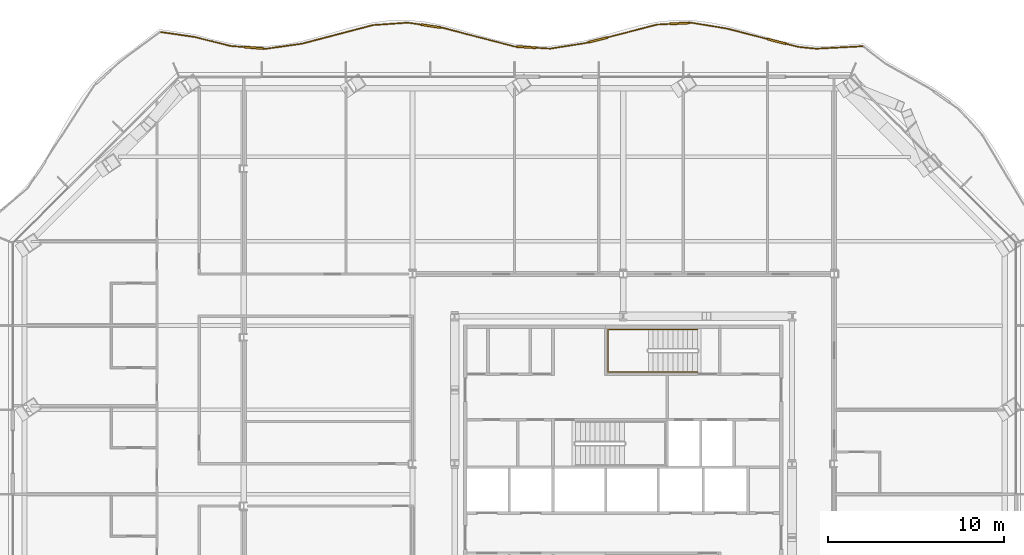
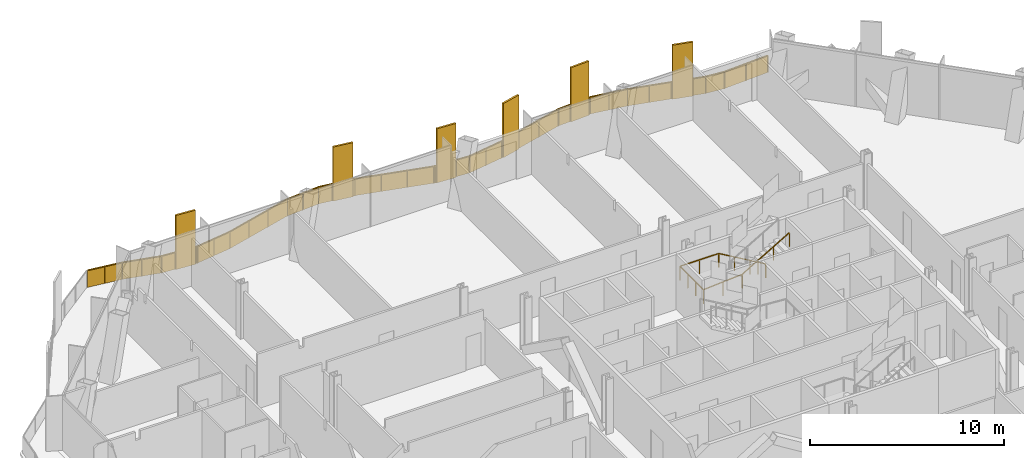
# One storey, part 16 of 17: 2 railings.
"""IFC4 building model written with IfcOpenShell, lengths in metres."""

from ifc_helpers import new_model, si_unit, direction, frame, origin, origin_2d, place, context, subcontext, project, spatial, polyline, rectangle, outline, extrude, material, type_object, element, save


model = new_model("IFC4")

# Units and contexts
model_context = context("Model", 3, precision=1e-05, world=origin(), true_north=direction((0.0, 1.0)))
body_context = subcontext(model_context, "Body", "Model", "MODEL_VIEW")
ifc_project = project(units=[si_unit("LENGTHUNIT", "METRE"), si_unit("AREAUNIT", "SQUARE_METRE"), si_unit("VOLUMEUNIT", "CUBIC_METRE"), si_unit("PLANEANGLEUNIT", "RADIAN"), si_unit("MASSUNIT", "GRAM", prefix="KILO")], contexts=[model_context])

# Site, building, storey
site_placement = place(None, origin())
site = spatial("IfcSite", under=ifc_project, at=site_placement, CompositionType="ELEMENT")
building_placement = place(site_placement, origin())
building = spatial("IfcBuilding", under=site, at=building_placement, Name="Cairn Pilgrim Tower", CompositionType="ELEMENT")
storey_placement = place(building_placement, frame((0.0, 0.0, 94.199951171875)))
storey = spatial("IfcBuildingStorey", under=building, at=storey_placement, Name="L22", CompositionType="ELEMENT", Elevation=94.199951171875)

# Railings
ifc_material_1 = material(Name="Bronze anodised aluminium rail, posts and fin screens with laminated glass infill", Category="aluminium")
railing_type_1 = type_object("IfcRailingType", Name="BALCONY GUARD WITH FIN SCREENS", PredefinedType="GUARDRAIL", material=ifc_material_1)
railing_1_placement = place(storey_placement, frame((20.8447265625, 26.1708984375, 0.0)))
element("IfcRailing", 1, at=railing_1_placement, inside=storey, type_object=railing_type_1, Name="Balcony guard BGF-4 with fin screens", PredefinedType="GUARDRAIL", context=body_context, shape_type="SweptSolid", body=[
    extrude(rectangle(XDim=0.050048828125, YDim=0.050048828125, at=origin_2d()), frame((0.0, 0.0, 1.0751953125), z_axis=(-0.998601583323, -0.052866603686, 0.0), x_axis=(0.052866603686, -0.998601583323, 0.0)), (0.0, 0.0, 1.0), 2.66455078125),
    extrude(rectangle(XDim=0.050048828125, YDim=0.050048828125, at=origin_2d()), frame((-2.660888671875, -0.140869140625, 1.0751953125), z_axis=(-0.995134492901, 0.098525839444, 0.0), x_axis=(-0.098525839444, -0.995134492901, 0.0)), (0.0, 0.0, 1.0), 1.038330078125),
    extrude(rectangle(XDim=1.10009765625, YDim=0.110107421875, at=origin_2d()), frame((-4.915283203125, 0.275634765625, 0.0), z_axis=(0.0, 0.0, 1.0), x_axis=(-0.968442182623, 0.249238317512, 0.0)), (0.0, 0.0, 1.0), 3.39990234375),
    extrude(rectangle(XDim=0.050048828125, YDim=0.050048828125, at=origin_2d()), frame((-3.694091796875, -0.03857421875, 1.0751953125), z_axis=(-0.968442182623, 0.249238317512, 0.0), x_axis=(-0.249238317512, -0.968442182623, 0.0)), (0.0, 0.0, 1.0), 0.7109375),
    extrude(rectangle(XDim=0.050048828125, YDim=0.050048828125, at=origin_2d()), frame((-5.447998046875, 0.412841796875, 1.0751953125), z_axis=(-0.968442182623, 0.249238317512, 0.0), x_axis=(-0.249238317512, -0.968442182623, 0.0)), (0.0, 0.0, 1.0), 2.36767578125),
    extrude(rectangle(XDim=0.050048828125, YDim=0.050048828125, at=origin_2d()), frame((-7.740966796875, 1.0029296875, 1.0751953125), z_axis=(-0.986614533197, 0.163069809848, 0.0), x_axis=(-0.163069809848, -0.986614533197, 0.0)), (0.0, 0.0, 1.0), 2.025634765625),
    extrude(rectangle(XDim=1.10009765625, YDim=0.110107421875, at=origin_2d()), frame((-10.438720703125, 1.29736328125, 0.0), z_axis=(0.0, 0.0, 1.0), x_axis=(-0.998681066307, -0.051343235188, 0.0)), (0.0, 0.0, 1.0), 3.39990234375),
    extrude(rectangle(XDim=0.050048828125, YDim=0.050048828125, at=origin_2d()), frame((-9.739501953125, 1.333251953125, 1.0751953125), z_axis=(-0.998681066307, -0.051343235188, 0.0), x_axis=(0.051343235188, -0.998681066307, 0.0)), (0.0, 0.0, 1.0), 0.150146484375),
    extrude(rectangle(XDim=0.050048828125, YDim=0.050048828125, at=origin_2d()), frame((-10.98779296875, 1.26904296875, 1.0751953125), z_axis=(-0.998681066307, -0.051343235188, 0.0), x_axis=(0.051343235188, -0.998681066307, 0.0)), (0.0, 0.0, 1.0), 0.742431640625),
    extrude(rectangle(XDim=1.10009765625, YDim=0.110107421875, at=origin_2d()), frame((-15.086181640625, 0.360595703125, 0.0), z_axis=(0.0, 0.0, 1.0), x_axis=(-0.968000587418, -0.250947928381, 0.0)), (0.0, 0.0, 1.0), 3.39990234375),
    extrude(rectangle(XDim=0.050048828125, YDim=0.050048828125, at=origin_2d()), frame((-11.729248046875, 1.23095703125, 1.0751953125), z_axis=(-0.968000587418, -0.250947928381, 0.0), x_axis=(0.250947928381, -0.968000587418, 0.0)), (0.0, 0.0, 1.0), 2.91796875),
    extrude(rectangle(XDim=0.050048828125, YDim=0.050048828125, at=origin_2d()), frame((-15.61865234375, 0.22265625, 1.0751953125), z_axis=(-0.968000587418, -0.250947928381, 0.0), x_axis=(0.250947928381, -0.968000587418, 0.0)), (0.0, 0.0, 1.0), 0.14990234375),
    extrude(rectangle(XDim=0.050048828125, YDim=0.050048828125, at=origin_2d()), frame((-15.763671875, 0.18505859375, 1.0751953125), z_axis=(-0.987839364322, -0.155477941507, 0.0), x_axis=(0.155477941507, -0.987839364322, 0.0)), (0.0, 0.0, 1.0), 2.069580078125),
    extrude(rectangle(XDim=1.10009765625, YDim=0.110107421875, at=origin_2d()), frame((-19.161376953125, -0.0546875, 0.0), z_axis=(0.0, 0.0, 1.0), x_axis=(-0.998164147912, 0.060566771616, 0.0)), (0.0, 0.0, 1.0), 3.39990234375),
    extrude(rectangle(XDim=0.050048828125, YDim=0.050048828125, at=origin_2d()), frame((-17.80810546875, -0.13671875, 1.0751953125), z_axis=(-0.998164147912, 0.060566771616, 0.0), x_axis=(-0.060566771616, -0.998164147912, 0.0)), (0.0, 0.0, 1.0), 0.8056640625),
    extrude(rectangle(XDim=0.050048828125, YDim=0.050048828125, at=origin_2d()), frame((-19.71044921875, -0.021240234375, 1.0751953125), z_axis=(-0.998164147912, 0.060566771616, 0.0), x_axis=(-0.060566771616, -0.998164147912, 0.0)), (0.0, 0.0, 1.0), 0.14990234375),
    extrude(rectangle(XDim=0.050048828125, YDim=0.050048828125, at=origin_2d()), frame((-19.860107421875, -0.01220703125, 1.0751953125), z_axis=(-0.967613554209, 0.252436149771, 0.0), x_axis=(-0.252436149771, -0.967613554209, 0.0)), (0.0, 0.0, 1.0), 4.183837890625),
    extrude(rectangle(XDim=1.10009765625, YDim=0.110107421875, at=origin_2d()), frame((-24.600830078125, 1.147216796875, 0.0), z_axis=(0.0, 0.0, 1.0), x_axis=(-0.989042522673, 0.147630919338, 0.0)), (0.0, 0.0, 1.0), 3.39990234375),
    extrude(rectangle(XDim=0.050048828125, YDim=0.050048828125, at=origin_2d()), frame((-23.908447265625, 1.0439453125, 1.0751953125), z_axis=(-0.989042522673, 0.147630919338, 0.0), x_axis=(-0.147630919338, -0.989042522673, 0.0)), (0.0, 0.0, 1.0), 0.150146484375),
    extrude(rectangle(XDim=0.050048828125, YDim=0.050048828125, at=origin_2d()), frame((-25.14501953125, 1.228515625, 1.0751953125), z_axis=(-0.989042522673, 0.147630919338, 0.0), x_axis=(-0.147630919338, -0.989042522673, 0.0)), (0.0, 0.0, 1.0), 0.76904296875),
    extrude(rectangle(XDim=0.050048828125, YDim=0.050048828125, at=origin_2d()), frame((-25.905517578125, 1.342041015625, 1.0751953125), z_axis=(-0.997565014816, -0.069742678578, 0.0), x_axis=(0.069742678578, -0.997565014816, 0.0)), (0.0, 0.0, 1.0), 1.995361328125),
    extrude(rectangle(XDim=0.050048828125, YDim=0.050048828125, at=origin_2d()), frame((-27.89599609375, 1.202880859375, 1.0751953125), z_axis=(-0.967312799449, -0.253586174747, 0.0), x_axis=(0.253586174747, -0.967312799449, 0.0)), (0.0, 0.0, 1.0), 4.173583984375),
    extrude(rectangle(XDim=0.050048828125, YDim=0.050048828125, at=origin_2d()), frame((-31.93310546875, 0.14453125, 1.0751953125), z_axis=(-0.990182096121, -0.139783462973, 0.0), x_axis=(0.139783462973, -0.990182096121, 0.0)), (0.0, 0.0, 1.0), 2.066162109375),
    extrude(rectangle(XDim=1.10009765625, YDim=0.110107421875, at=origin_2d()), frame((-34.677001953125, -0.089111328125, 0.0), z_axis=(0.0, 0.0, 1.0), x_axis=(-0.996888090626, 0.078829783515, 0.0)), (0.0, 0.0, 1.0), 3.39990234375),
    extrude(rectangle(XDim=0.050048828125, YDim=0.050048828125, at=origin_2d()), frame((-33.97900390625, -0.144287109375, 1.0751953125), z_axis=(-0.996888090626, 0.078829783515, 0.0), x_axis=(-0.078829783515, -0.996888090626, 0.0)), (0.0, 0.0, 1.0), 0.150146484375),
    extrude(rectangle(XDim=0.050048828125, YDim=0.050048828125, at=origin_2d()), frame((-35.22509765625, -0.045654296875, 1.0751953125), z_axis=(-0.996888090626, 0.078829783515, 0.0), x_axis=(-0.078829783515, -0.996888090626, 0.0)), (0.0, 0.0, 1.0), 0.806396484375),
    extrude(rectangle(XDim=0.050048828125, YDim=0.050048828125, at=origin_2d()), frame((-36.029052734375, 0.017822265625, 1.0751953125), z_axis=(-0.969687119099, 0.244349935652, 0.0), x_axis=(-0.244349935652, -0.969687119099, 0.0)), (0.0, 0.0, 1.0), 2.089111328125),
    extrude(rectangle(XDim=0.050048828125, YDim=0.050048828125, at=origin_2d()), frame((-38.054931640625, 0.5283203125, 1.0751953125), z_axis=(-0.989691629643, 0.143214797471, 0.0), x_axis=(-0.143214797471, -0.989691629643, 0.0)), (0.0, 0.0, 1.0), 1.924560546875),
    extrude(rectangle(XDim=0.050048828125, YDim=0.050048828125, at=origin_2d()), origin(), (0.0, 0.0, 1.0), 1.050048828125),
    extrude(rectangle(XDim=0.050048828125, YDim=0.050048828125, at=origin_2d()), frame((-1.33056640625, -0.0703125, 0.0)), (0.0, 0.0, 1.0), 1.050048828125),
    extrude(rectangle(XDim=0.050048828125, YDim=0.050048828125, at=origin_2d()), frame((-2.660888671875, -0.140869140625, 0.0)), (0.0, 0.0, 1.0), 1.050048828125),
    extrude(rectangle(XDim=0.050048828125, YDim=0.050048828125, at=origin_2d()), frame((-3.694091796875, -0.03857421875, 0.0)), (0.0, 0.0, 1.0), 1.050048828125),
    extrude(rectangle(XDim=0.050048828125, YDim=0.050048828125, at=origin_2d()), frame((-4.3583984375, 0.13232421875, 0.0)), (0.0, 0.0, 1.0), 1.050048828125),
    extrude(rectangle(XDim=0.050048828125, YDim=0.050048828125, at=origin_2d()), frame((-5.47216796875, 0.4189453125, 0.0)), (0.0, 0.0, 1.0), 1.050048828125),
    extrude(rectangle(XDim=0.050048828125, YDim=0.050048828125, at=origin_2d()), frame((-6.606689453125, 0.7109375, 0.0)), (0.0, 0.0, 1.0), 1.050048828125),
    extrude(rectangle(XDim=0.050048828125, YDim=0.050048828125, at=origin_2d()), frame((-7.740966796875, 1.0029296875, 0.0)), (0.0, 0.0, 1.0), 1.050048828125),
    extrude(rectangle(XDim=0.050048828125, YDim=0.050048828125, at=origin_2d()), frame((-8.740234375, 1.16796875, 0.0)), (0.0, 0.0, 1.0), 1.050048828125),
    extrude(rectangle(XDim=0.050048828125, YDim=0.050048828125, at=origin_2d()), frame((-9.739501953125, 1.333251953125, 0.0)), (0.0, 0.0, 1.0), 1.050048828125),
    extrude(rectangle(XDim=0.050048828125, YDim=0.050048828125, at=origin_2d()), frame((-9.8642578125, 1.326904296875, 0.0)), (0.0, 0.0, 1.0), 1.050048828125),
    extrude(rectangle(XDim=0.050048828125, YDim=0.050048828125, at=origin_2d()), frame((-11.012939453125, 1.267822265625, 0.0)), (0.0, 0.0, 1.0), 1.050048828125),
    extrude(rectangle(XDim=0.050048828125, YDim=0.050048828125, at=origin_2d()), frame((-11.729248046875, 1.23095703125, 0.0)), (0.0, 0.0, 1.0), 1.050048828125),
    extrude(rectangle(XDim=0.050048828125, YDim=0.050048828125, at=origin_2d()), frame((-13.12939453125, 0.867919921875, 0.0)), (0.0, 0.0, 1.0), 1.050048828125),
    extrude(rectangle(XDim=0.050048828125, YDim=0.050048828125, at=origin_2d()), frame((-14.529541015625, 0.505126953125, 0.0)), (0.0, 0.0, 1.0), 1.050048828125),
    extrude(rectangle(XDim=0.050048828125, YDim=0.050048828125, at=origin_2d()), frame((-15.642822265625, 0.21630859375, 0.0)), (0.0, 0.0, 1.0), 1.050048828125),
    extrude(rectangle(XDim=0.050048828125, YDim=0.050048828125, at=origin_2d()), frame((-15.763671875, 0.18505859375, 0.0)), (0.0, 0.0, 1.0), 1.050048828125),
    extrude(rectangle(XDim=0.050048828125, YDim=0.050048828125, at=origin_2d()), frame((-16.785888671875, 0.024169921875, 0.0)), (0.0, 0.0, 1.0), 1.050048828125),
    extrude(rectangle(XDim=0.050048828125, YDim=0.050048828125, at=origin_2d()), frame((-17.80810546875, -0.13671875, 0.0)), (0.0, 0.0, 1.0), 1.050048828125),
    extrude(rectangle(XDim=0.050048828125, YDim=0.050048828125, at=origin_2d()), frame((-18.58740234375, -0.08935546875, 0.0)), (0.0, 0.0, 1.0), 1.050048828125),
    extrude(rectangle(XDim=0.050048828125, YDim=0.050048828125, at=origin_2d()), frame((-19.7353515625, -0.019775390625, 0.0)), (0.0, 0.0, 1.0), 1.050048828125),
    extrude(rectangle(XDim=0.050048828125, YDim=0.050048828125, at=origin_2d()), frame((-19.860107421875, -0.01220703125, 0.0)), (0.0, 0.0, 1.0), 1.050048828125),
    extrude(rectangle(XDim=0.050048828125, YDim=0.050048828125, at=origin_2d()), frame((-21.20947265625, 0.33984375, 0.0)), (0.0, 0.0, 1.0), 1.050048828125),
    extrude(rectangle(XDim=0.050048828125, YDim=0.050048828125, at=origin_2d()), frame((-22.55908203125, 0.69189453125, 0.0)), (0.0, 0.0, 1.0), 1.050048828125),
    extrude(rectangle(XDim=0.050048828125, YDim=0.050048828125, at=origin_2d()), frame((-23.908447265625, 1.0439453125, 0.0)), (0.0, 0.0, 1.0), 1.050048828125),
    extrude(rectangle(XDim=0.050048828125, YDim=0.050048828125, at=origin_2d()), frame((-24.0322265625, 1.0625, 0.0)), (0.0, 0.0, 1.0), 1.050048828125),
    extrude(rectangle(XDim=0.050048828125, YDim=0.050048828125, at=origin_2d()), frame((-25.169677734375, 1.232177734375, 0.0)), (0.0, 0.0, 1.0), 1.050048828125),
    extrude(rectangle(XDim=0.050048828125, YDim=0.050048828125, at=origin_2d()), frame((-25.905517578125, 1.342041015625, 0.0)), (0.0, 0.0, 1.0), 1.050048828125),
    extrude(rectangle(XDim=0.050048828125, YDim=0.050048828125, at=origin_2d()), frame((-26.90087890625, 1.2724609375, 0.0)), (0.0, 0.0, 1.0), 1.050048828125),
    extrude(rectangle(XDim=0.050048828125, YDim=0.050048828125, at=origin_2d()), frame((-27.89599609375, 1.202880859375, 0.0)), (0.0, 0.0, 1.0), 1.050048828125),
    extrude(rectangle(XDim=0.050048828125, YDim=0.050048828125, at=origin_2d()), frame((-29.24169921875, 0.85009765625, 0.0)), (0.0, 0.0, 1.0), 1.050048828125),
    extrude(rectangle(XDim=0.050048828125, YDim=0.050048828125, at=origin_2d()), frame((-30.58740234375, 0.497314453125, 0.0)), (0.0, 0.0, 1.0), 1.050048828125),
    extrude(rectangle(XDim=0.050048828125, YDim=0.050048828125, at=origin_2d()), frame((-31.93310546875, 0.14453125, 0.0)), (0.0, 0.0, 1.0), 1.050048828125),
    extrude(rectangle(XDim=0.050048828125, YDim=0.050048828125, at=origin_2d()), frame((-32.9560546875, 0.0, 0.0)), (0.0, 0.0, 1.0), 1.050048828125),
    extrude(rectangle(XDim=0.050048828125, YDim=0.050048828125, at=origin_2d()), frame((-33.97900390625, -0.144287109375, 0.0)), (0.0, 0.0, 1.0), 1.050048828125),
    extrude(rectangle(XDim=0.050048828125, YDim=0.050048828125, at=origin_2d()), frame((-34.103759765625, -0.134521484375, 0.0)), (0.0, 0.0, 1.0), 1.050048828125),
    extrude(rectangle(XDim=0.050048828125, YDim=0.050048828125, at=origin_2d()), frame((-35.250244140625, -0.043701171875, 0.0)), (0.0, 0.0, 1.0), 1.050048828125),
    extrude(rectangle(XDim=0.050048828125, YDim=0.050048828125, at=origin_2d()), frame((-36.029052734375, 0.017822265625, 0.0)), (0.0, 0.0, 1.0), 1.050048828125),
    extrude(rectangle(XDim=0.050048828125, YDim=0.050048828125, at=origin_2d()), frame((-37.0419921875, 0.27294921875, 0.0)), (0.0, 0.0, 1.0), 1.050048828125),
    extrude(rectangle(XDim=0.050048828125, YDim=0.050048828125, at=origin_2d()), frame((-38.054931640625, 0.5283203125, 0.0)), (0.0, 0.0, 1.0), 1.050048828125),
    extrude(rectangle(XDim=0.050048828125, YDim=0.050048828125, at=origin_2d()), frame((-39.00732421875, 0.666015625, 0.0)), (0.0, 0.0, 1.0), 1.050048828125),
    extrude(rectangle(XDim=0.050048828125, YDim=0.050048828125, at=origin_2d()), frame((-39.959716796875, 0.803955078125, 0.0)), (0.0, 0.0, 1.0), 1.050048828125),
    extrude(outline(polyline([(0.02490234375, 0.0), (1.307373046875, 0.0), (1.307373046875, 1.050048828125), (0.02490234375, 1.050048828125), (0.02490234375, 0.0)])), frame((0.000244140625, -0.005859375, 0.0), z_axis=(-0.052866603686, 0.998601583323, 0.0), x_axis=(-0.998601583323, -0.052866603686, 0.0)), (0.0, 0.0, 1.0), 0.011962890625),
    extrude(outline(polyline([(0.02490234375, 0.0), (1.307373046875, 0.0), (1.307373046875, 1.050048828125), (0.02490234375, 1.050048828125), (0.02490234375, 0.0)])), frame((-1.330078125, -0.076416015625, 0.0), z_axis=(-0.052866603686, 0.998601583323, 0.0), x_axis=(-0.998601583323, -0.052866603686, 0.0)), (0.0, 0.0, 1.0), 0.011962890625),
    extrude(outline(polyline([(0.02490234375, 0.0), (1.01318359375, 0.0), (1.01318359375, 1.050048828125), (0.02490234375, 1.050048828125), (0.02490234375, 0.0)])), frame((-2.661376953125, -0.146728515625, 0.0), z_axis=(0.098525839444, 0.995134492901, 0.0), x_axis=(-0.995134492901, 0.098525839444, 0.0)), (0.0, 0.0, 1.0), 0.011962890625),
    extrude(outline(polyline([(0.02490234375, 0.0), (0.660888671875, 0.0), (0.660888671875, 1.050048828125), (0.02490234375, 1.050048828125), (0.02490234375, 0.0)])), frame((-3.695556640625, -0.04443359375, 0.0), z_axis=(0.249238317512, 0.968442182623, 0.0), x_axis=(-0.968442182623, 0.249238317512, 0.0)), (0.0, 0.0, 1.0), 0.011962890625),
    extrude(outline(polyline([(0.02490234375, 0.0), (1.146240234375, 0.0), (1.146240234375, 1.050048828125), (0.02490234375, 1.050048828125), (0.02490234375, 0.0)])), frame((-5.4736328125, 0.413330078125, 0.0), z_axis=(0.249238317512, 0.968442182623, 0.0), x_axis=(-0.968442182623, 0.249238317512, 0.0)), (0.0, 0.0, 1.0), 0.011962890625),
    extrude(outline(polyline([(0.02490234375, 0.0), (1.146240234375, 0.0), (1.146240234375, 1.050048828125), (0.02490234375, 1.050048828125), (0.02490234375, 0.0)])), frame((-6.608154296875, 0.705078125, 0.0), z_axis=(0.249238317512, 0.968442182623, 0.0), x_axis=(-0.968442182623, 0.249238317512, 0.0)), (0.0, 0.0, 1.0), 0.011962890625),
    extrude(outline(polyline([(0.02490234375, 0.0), (0.98779296875, 0.0), (0.98779296875, 1.050048828125), (0.02490234375, 1.050048828125), (0.02490234375, 0.0)])), frame((-7.741943359375, 0.9970703125, 0.0), z_axis=(0.163069809848, 0.986614533197, 0.0), x_axis=(-0.986614533197, 0.163069809848, 0.0)), (0.0, 0.0, 1.0), 0.011962890625),
    extrude(outline(polyline([(0.02490234375, 0.0), (0.98779296875, 0.0), (0.98779296875, 1.050048828125), (0.02490234375, 1.050048828125), (0.02490234375, 0.0)])), frame((-8.7412109375, 1.162109375, 0.0), z_axis=(0.163069809848, 0.986614533197, 0.0), x_axis=(-0.986614533197, 0.163069809848, 0.0)), (0.0, 0.0, 1.0), 0.011962890625),
    extrude(outline(polyline([(0.02490234375, 0.0), (0.10009765625, 0.0), (0.10009765625, 1.050048828125), (0.02490234375, 1.050048828125), (0.02490234375, 0.0)])), frame((-9.7392578125, 1.327392578125, 0.0), z_axis=(-0.051343235188, 0.998681066307, 0.0), x_axis=(-0.998681066307, -0.051343235188, 0.0)), (0.0, 0.0, 1.0), 0.011962890625),
    extrude(outline(polyline([(0.02490234375, 0.0), (0.6923828125, 0.0), (0.6923828125, 1.050048828125), (0.02490234375, 1.050048828125), (0.02490234375, 0.0)])), frame((-11.012451171875, 1.26171875, 0.0), z_axis=(-0.051343235188, 0.998681066307, 0.0), x_axis=(-0.998681066307, -0.051343235188, 0.0)), (0.0, 0.0, 1.0), 0.011962890625),
    extrude(outline(polyline([(0.02490234375, 0.0), (1.42138671875, 0.0), (1.42138671875, 1.050048828125), (0.02490234375, 1.050048828125), (0.02490234375, 0.0)])), frame((-11.727783203125, 1.22509765625, 0.0), z_axis=(-0.250947928381, 0.968000587418, 0.0), x_axis=(-0.968000587418, -0.250947928381, 0.0)), (0.0, 0.0, 1.0), 0.011962890625),
    extrude(outline(polyline([(0.02490234375, 0.0), (1.42138671875, 0.0), (1.42138671875, 1.050048828125), (0.02490234375, 1.050048828125), (0.02490234375, 0.0)])), frame((-13.1279296875, 0.8623046875, 0.0), z_axis=(-0.250947928381, 0.968000587418, 0.0), x_axis=(-0.968000587418, -0.250947928381, 0.0)), (0.0, 0.0, 1.0), 0.011962890625),
    extrude(outline(polyline([(0.02490234375, 0.0), (0.099853515625, 0.0), (0.099853515625, 1.050048828125), (0.02490234375, 1.050048828125), (0.02490234375, 0.0)])), frame((-15.641357421875, 0.210693359375, 0.0), z_axis=(-0.250947928381, 0.968000587418, 0.0), x_axis=(-0.968000587418, -0.250947928381, 0.0)), (0.0, 0.0, 1.0), 0.011962890625),
    extrude(outline(polyline([(0.02490234375, 0.0), (1.009765625, 0.0), (1.009765625, 1.050048828125), (0.02490234375, 1.050048828125), (0.02490234375, 0.0)])), frame((-15.7626953125, 0.17919921875, 0.0), z_axis=(-0.155477941507, 0.987839364322, 0.0), x_axis=(-0.987839364322, -0.155477941507, 0.0)), (0.0, 0.0, 1.0), 0.011962890625),
    extrude(outline(polyline([(0.02490234375, 0.0), (1.009765625, 0.0), (1.009765625, 1.050048828125), (0.02490234375, 1.050048828125), (0.02490234375, 0.0)])), frame((-16.784912109375, 0.018310546875, 0.0), z_axis=(-0.155477941507, 0.987839364322, 0.0), x_axis=(-0.987839364322, -0.155477941507, 0.0)), (0.0, 0.0, 1.0), 0.011962890625),
    extrude(outline(polyline([(0.02490234375, 0.0), (0.755615234375, 0.0), (0.755615234375, 1.050048828125), (0.02490234375, 1.050048828125), (0.02490234375, 0.0)])), frame((-17.808349609375, -0.142578125, 0.0), z_axis=(0.060566771616, 0.998164147912, 0.0), x_axis=(-0.998164147912, 0.060566771616, 0.0)), (0.0, 0.0, 1.0), 0.011962890625),
    extrude(outline(polyline([(0.02490234375, 0.0), (0.099853515625, 0.0), (0.099853515625, 1.050048828125), (0.02490234375, 1.050048828125), (0.02490234375, 0.0)])), frame((-19.735595703125, -0.025634765625, 0.0), z_axis=(0.060566771616, 0.998164147912, 0.0), x_axis=(-0.998164147912, 0.060566771616, 0.0)), (0.0, 0.0, 1.0), 0.011962890625),
    extrude(outline(polyline([(0.02490234375, 0.0), (1.36962890625, 0.0), (1.36962890625, 1.050048828125), (0.02490234375, 1.050048828125), (0.02490234375, 0.0)])), frame((-19.861572265625, -0.01806640625, 0.0), z_axis=(0.252436149771, 0.967613554209, 0.0), x_axis=(-0.967613554209, 0.252436149771, 0.0)), (0.0, 0.0, 1.0), 0.011962890625),
    extrude(outline(polyline([(0.02490234375, 0.0), (1.36962890625, 0.0), (1.36962890625, 1.050048828125), (0.02490234375, 1.050048828125), (0.02490234375, 0.0)])), frame((-21.211181640625, 0.333984375, 0.0), z_axis=(0.252436149771, 0.967613554209, 0.0), x_axis=(-0.967613554209, 0.252436149771, 0.0)), (0.0, 0.0, 1.0), 0.011962890625),
    extrude(outline(polyline([(0.02490234375, 0.0), (1.36962890625, 0.0), (1.36962890625, 1.050048828125), (0.02490234375, 1.050048828125), (0.02490234375, 0.0)])), frame((-22.560546875, 0.68603515625, 0.0), z_axis=(0.252436149771, 0.967613554209, 0.0), x_axis=(-0.967613554209, 0.252436149771, 0.0)), (0.0, 0.0, 1.0), 0.011962890625),
    extrude(outline(polyline([(0.02490234375, 0.0), (0.10009765625, 0.0), (0.10009765625, 1.050048828125), (0.02490234375, 1.050048828125), (0.02490234375, 0.0)])), frame((-23.909423828125, 1.0380859375, 0.0), z_axis=(0.147630919338, 0.989042522673, 0.0), x_axis=(-0.989042522673, 0.147630919338, 0.0)), (0.0, 0.0, 1.0), 0.011962890625),
    extrude(outline(polyline([(0.02490234375, 0.0), (0.718994140625, 0.0), (0.718994140625, 1.050048828125), (0.02490234375, 1.050048828125), (0.02490234375, 0.0)])), frame((-25.170654296875, 1.226318359375, 0.0), z_axis=(0.147630919338, 0.989042522673, 0.0), x_axis=(-0.989042522673, 0.147630919338, 0.0)), (0.0, 0.0, 1.0), 0.011962890625),
    extrude(outline(polyline([(0.02490234375, 0.0), (0.97265625, 0.0), (0.97265625, 1.050048828125), (0.02490234375, 1.050048828125), (0.02490234375, 0.0)])), frame((-25.905029296875, 1.336181640625, 0.0), z_axis=(-0.069742678578, 0.997565014816, 0.0), x_axis=(-0.997565014816, -0.069742678578, 0.0)), (0.0, 0.0, 1.0), 0.011962890625),
    extrude(outline(polyline([(0.02490234375, 0.0), (0.97265625, 0.0), (0.97265625, 1.050048828125), (0.02490234375, 1.050048828125), (0.02490234375, 0.0)])), frame((-26.900390625, 1.2666015625, 0.0), z_axis=(-0.069742678578, 0.997565014816, 0.0), x_axis=(-0.997565014816, -0.069742678578, 0.0)), (0.0, 0.0, 1.0), 0.011962890625),
    extrude(outline(polyline([(0.02490234375, 0.0), (1.3662109375, 0.0), (1.3662109375, 1.050048828125), (0.02490234375, 1.050048828125), (0.02490234375, 0.0)])), frame((-27.89453125, 1.197021484375, 0.0), z_axis=(-0.253586174747, 0.967312799449, 0.0), x_axis=(-0.967312799449, -0.253586174747, 0.0)), (0.0, 0.0, 1.0), 0.011962890625),
    extrude(outline(polyline([(0.02490234375, 0.0), (1.3662109375, 0.0), (1.3662109375, 1.050048828125), (0.02490234375, 1.050048828125), (0.02490234375, 0.0)])), frame((-29.240234375, 0.84423828125, 0.0), z_axis=(-0.253586174747, 0.967312799449, 0.0), x_axis=(-0.967312799449, -0.253586174747, 0.0)), (0.0, 0.0, 1.0), 0.011962890625),
    extrude(outline(polyline([(0.02490234375, 0.0), (1.3662109375, 0.0), (1.3662109375, 1.050048828125), (0.02490234375, 1.050048828125), (0.02490234375, 0.0)])), frame((-30.5859375, 0.491455078125, 0.0), z_axis=(-0.253586174747, 0.967312799449, 0.0), x_axis=(-0.967312799449, -0.253586174747, 0.0)), (0.0, 0.0, 1.0), 0.011962890625),
    extrude(outline(polyline([(0.02490234375, 0.0), (1.008056640625, 0.0), (1.008056640625, 1.050048828125), (0.02490234375, 1.050048828125), (0.02490234375, 0.0)])), frame((-31.932373046875, 0.138671875, 0.0), z_axis=(-0.139783462973, 0.990182096121, 0.0), x_axis=(-0.990182096121, -0.139783462973, 0.0)), (0.0, 0.0, 1.0), 0.011962890625),
    extrude(outline(polyline([(0.02490234375, 0.0), (1.008056640625, 0.0), (1.008056640625, 1.050048828125), (0.02490234375, 1.050048828125), (0.02490234375, 0.0)])), frame((-32.955322265625, -0.005859375, 0.0), z_axis=(-0.139783462973, 0.990182096121, 0.0), x_axis=(-0.990182096121, -0.139783462973, 0.0)), (0.0, 0.0, 1.0), 0.011962890625),
    extrude(outline(polyline([(0.02490234375, 0.0), (0.10009765625, 0.0), (0.10009765625, 1.050048828125), (0.02490234375, 1.050048828125), (0.02490234375, 0.0)])), frame((-33.9794921875, -0.150146484375, 0.0), z_axis=(0.078829783515, 0.996888090626, 0.0), x_axis=(-0.996888090626, 0.078829783515, 0.0)), (0.0, 0.0, 1.0), 0.011962890625),
    extrude(outline(polyline([(0.02490234375, 0.0), (0.75634765625, 0.0), (0.75634765625, 1.050048828125), (0.02490234375, 1.050048828125), (0.02490234375, 0.0)])), frame((-35.250732421875, -0.0498046875, 0.0), z_axis=(0.078829783515, 0.996888090626, 0.0), x_axis=(-0.996888090626, 0.078829783515, 0.0)), (0.0, 0.0, 1.0), 0.011962890625),
    extrude(outline(polyline([(0.02490234375, 0.0), (1.01953125, 0.0), (1.01953125, 1.050048828125), (0.02490234375, 1.050048828125), (0.02490234375, 0.0)])), frame((-36.030517578125, 0.011962890625, 0.0), z_axis=(0.244349935652, 0.969687119099, 0.0), x_axis=(-0.969687119099, 0.244349935652, 0.0)), (0.0, 0.0, 1.0), 0.011962890625),
    extrude(outline(polyline([(0.02490234375, 0.0), (1.01953125, 0.0), (1.01953125, 1.050048828125), (0.02490234375, 1.050048828125), (0.02490234375, 0.0)])), frame((-37.04345703125, 0.267333984375, 0.0), z_axis=(0.244349935652, 0.969687119099, 0.0), x_axis=(-0.969687119099, 0.244349935652, 0.0)), (0.0, 0.0, 1.0), 0.011962890625),
    extrude(outline(polyline([(0.02490234375, 0.0), (0.937255859375, 0.0), (0.937255859375, 1.050048828125), (0.02490234375, 1.050048828125), (0.02490234375, 0.0)])), frame((-38.055908203125, 0.5224609375, 0.0), z_axis=(0.143214797471, 0.989691629643, 0.0), x_axis=(-0.989691629643, 0.143214797471, 0.0)), (0.0, 0.0, 1.0), 0.011962890625),
    extrude(outline(polyline([(0.02490234375, 0.0), (0.937255859375, 0.0), (0.937255859375, 1.050048828125), (0.02490234375, 1.050048828125), (0.02490234375, 0.0)])), frame((-39.00830078125, 0.66015625, 0.0), z_axis=(0.143214797471, 0.989691629643, 0.0), x_axis=(-0.989691629643, 0.143214797471, 0.0)), (0.0, 0.0, 1.0), 0.011962890625),
])
ifc_material_2 = material(Name="Painted steel", Category="steel")
railing_type_2 = type_object("IfcRailingType", Name="STAIR HANDRAIL 900", PredefinedType="HANDRAIL", material=ifc_material_2)
railing_2_placement = place(storey_placement, frame((11.425048828125, 10.050048828125, 0.16357421875)))
element("IfcRailing", 2, at=railing_2_placement, inside=storey, type_object=railing_type_2, Name="L22 ST-C stair handrail 1", PredefinedType="HANDRAIL", context=body_context, shape_type="SweptSolid", body=[
    extrude(rectangle(XDim=0.048095703125, YDim=0.048095703125, at=origin_2d()), frame((0.0, 0.0, 0.8759765625), z_axis=(-0.863360870873, 0.0, 0.504586966384), x_axis=(0.0, -1.0, 0.0)), (0.0, 0.0, 1.0), 3.2431640625),
    extrude(rectangle(XDim=0.048095703125, YDim=0.048095703125, at=origin_2d()), frame((-2.800048828125, 0.0, 2.51220703125), z_axis=(-1.0, 0.0, 0.0), x_axis=(0.0, -1.0, 0.0)), (0.0, 0.0, 1.0), 2.300048828125),
    extrude(rectangle(XDim=0.048095703125, YDim=0.048095703125, at=origin_2d()), frame((-5.10009765625, 0.0, 2.51220703125), z_axis=(0.0, -1.0, 0.0), x_axis=(1.0, 0.0, 0.0)), (0.0, 0.0, 1.0), 2.425048828125),
    extrude(rectangle(XDim=0.048095703125, YDim=0.048095703125, at=origin_2d()), frame((-5.10009765625, -2.425048828125, 2.51220703125), z_axis=(0.997480687736, 0.0, 0.070938548008), x_axis=(0.0, 1.0, 0.0)), (0.0, 0.0, 1.0), 2.305908203125),
    extrude(rectangle(XDim=0.048095703125, YDim=0.048095703125, at=origin_2d()), frame((-2.800048828125, -2.425048828125, 2.67578125), z_axis=(0.863360870873, 0.0, 0.504586966384), x_axis=(0.0, 1.0, 0.0)), (0.0, 0.0, 1.0), 3.2431640625),
    extrude(rectangle(XDim=0.0419921875, YDim=0.0419921875, at=origin_2d()), origin(), (0.0, 0.0, 1.0), 0.851806640625),
    extrude(rectangle(XDim=0.0419921875, YDim=0.0419921875, at=origin_2d()), frame((-0.933349609375, 0.0, 0.54541015625)), (0.0, 0.0, 1.0), 0.851806640625),
    extrude(rectangle(XDim=0.0419921875, YDim=0.0419921875, at=origin_2d()), frame((-1.86669921875, 0.0, 1.091064453125)), (0.0, 0.0, 1.0), 0.851806640625),
    extrude(rectangle(XDim=0.0419921875, YDim=0.0419921875, at=origin_2d()), frame((-2.800048828125, 0.0, 1.636474609375)), (0.0, 0.0, 1.0), 0.851806640625),
    extrude(rectangle(XDim=0.0419921875, YDim=0.0419921875, at=origin_2d()), frame((-3.9501953125, 0.0, 1.636474609375)), (0.0, 0.0, 1.0), 0.851806640625),
    extrude(rectangle(XDim=0.0419921875, YDim=0.0419921875, at=origin_2d()), frame((-5.10009765625, 0.0, 1.636474609375)), (0.0, 0.0, 1.0), 0.851806640625),
    extrude(rectangle(XDim=0.0419921875, YDim=0.0419921875, at=origin_2d()), frame((-5.10009765625, -0.808349609375, 1.636474609375)), (0.0, 0.0, 1.0), 0.851806640625),
    extrude(rectangle(XDim=0.0419921875, YDim=0.0419921875, at=origin_2d()), frame((-5.10009765625, -1.61669921875, 1.636474609375)), (0.0, 0.0, 1.0), 0.851806640625),
    extrude(rectangle(XDim=0.0419921875, YDim=0.0419921875, at=origin_2d()), frame((-5.10009765625, -2.425048828125, 1.636474609375)), (0.0, 0.0, 1.0), 0.851806640625),
    extrude(rectangle(XDim=0.0419921875, YDim=0.0419921875, at=origin_2d()), frame((-3.9501953125, -2.425048828125, 1.71826171875)), (0.0, 0.0, 1.0), 0.851806640625),
    extrude(rectangle(XDim=0.0419921875, YDim=0.0419921875, at=origin_2d()), frame((-2.800048828125, -2.425048828125, 1.800048828125)), (0.0, 0.0, 1.0), 0.851806640625),
    extrude(rectangle(XDim=0.0419921875, YDim=0.0419921875, at=origin_2d()), frame((-1.86669921875, -2.425048828125, 2.345458984375)), (0.0, 0.0, 1.0), 0.851806640625),
    extrude(rectangle(XDim=0.0419921875, YDim=0.0419921875, at=origin_2d()), frame((-0.933349609375, -2.425048828125, 2.89111328125)), (0.0, 0.0, 1.0), 0.851806640625),
    extrude(rectangle(XDim=0.0419921875, YDim=0.0419921875, at=origin_2d()), frame((0.0, -2.425048828125, 3.4365234375)), (0.0, 0.0, 1.0), 0.851806640625),
])

save(model, "model.ifc")
